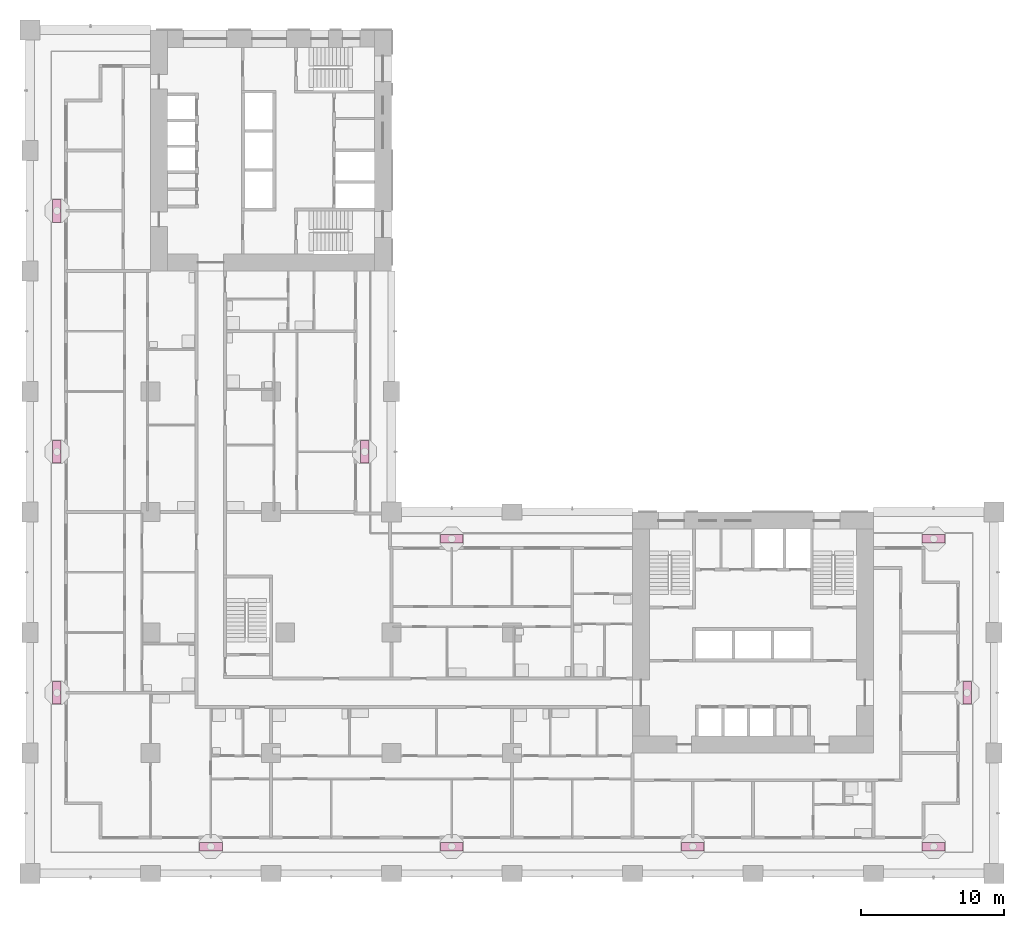
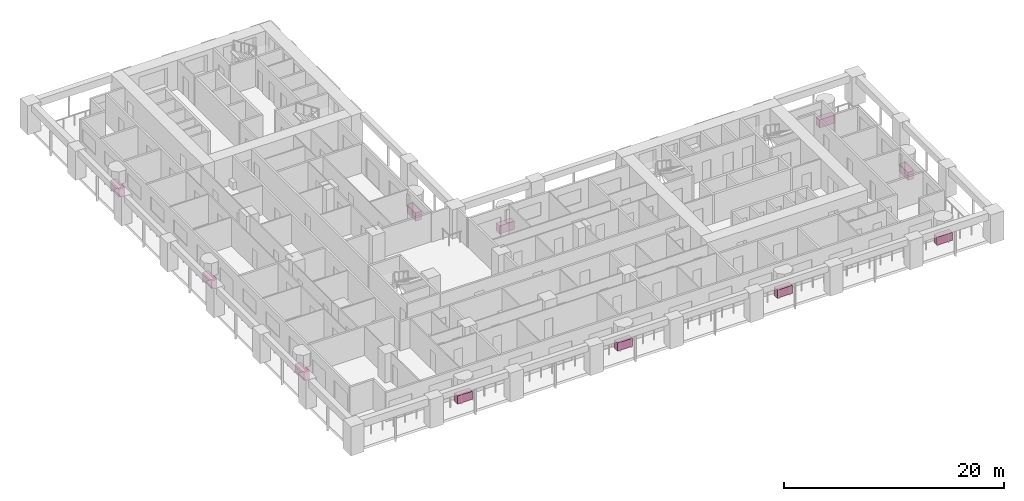
# One storey, part 19 of 20: 11 furniture elements.
"""IFC4 building model written with IfcOpenShell, lengths in metres."""

from ifc_helpers import new_model, si_unit, direction, frame, origin, origin_2d, place, context, subcontext, project, spatial, rectangle, extrude, material, element, save


model = new_model("IFC4")

# Units and contexts
model_context = context("Model", 3, precision=1e-05, world=origin(), true_north=direction((0.0, 1.0)))
body_context = subcontext(model_context, "Body", "Model", "MODEL_VIEW")
ifc_project = project(units=[si_unit("LENGTHUNIT", "METRE"), si_unit("AREAUNIT", "SQUARE_METRE"), si_unit("VOLUMEUNIT", "CUBIC_METRE"), si_unit("PLANEANGLEUNIT", "RADIAN"), si_unit("MASSUNIT", "GRAM", prefix="KILO")], contexts=[model_context])

# Site, building, storey
site_placement = place(None, origin())
site = spatial("IfcSite", under=ifc_project, at=site_placement, CompositionType="ELEMENT")
building_placement = place(site_placement, origin())
building = spatial("IfcBuilding", under=site, at=building_placement, Name="Vermilion Gate Residences", CompositionType="ELEMENT")
storey_placement = place(building_placement, frame((0.0, 0.0, 42.699951171875)))
storey = spatial("IfcBuildingStorey", under=building, at=storey_placement, Name="L09", CompositionType="ELEMENT", Elevation=42.699951171875)

# Furniture
ifc_material = material(Name="Terracotta planter", Category="masonry")
for number, where, z_axis, x_axis, name in (
    (1, (12.60009765625, 1.875, 0.0), (0.0, 0.0, 1.0), (1.0, 0.0, 0.0), "PLANTER"),
    (2, (29.39990234375, 1.875, 0.0), (0.0, 0.0, 1.0), (1.0, 0.0, 0.0), "PLANTER"),
    (3, (46.199951171875, 1.875, 0.0), (0.0, 0.0, 1.0), (1.0, 0.0, 0.0), "PLANTER"),
    (4, (63.0, 1.875, 0.0), (0.0, 0.0, 1.0), (1.0, 0.0, 0.0), "PLANTER"),
    (5, (65.324951171875, 12.60009765625, 0.0), (0.0, 0.0, 1.0), (0.0, 1.0, 0.0), "PLANTER"),
    (6, (29.39990234375, 23.324951171875, 0.0), (0.0, 0.0, 1.0), (-1.0, 0.0, 0.0), "PLANTER"),
    (7, (63.0, 23.324951171875, 0.0), (0.0, 0.0, 1.0), (-1.0, 0.0, 0.0), "PLANTER"),
    (8, (23.324951171875, 29.39990234375, 0.0), (0.0, 0.0, 1.0), (0.0, 1.0, 0.0), "PLANTER"),
    (9, (1.875, 12.60009765625, 0.0), (0.0, 0.0, 1.0), (0.0, -1.0, 0.0), "PLANTER"),
    (10, (1.875, 29.39990234375, 0.0), (0.0, 0.0, 1.0), (0.0, -1.0, 0.0), "PLANTER"),
    (11, (1.875, 46.199951171875, 0.0), (0.0, 0.0, 1.0), (0.0, -1.0, 0.0), "PLANTER"),
):
    element("IfcFurniture", number, at=place(storey_placement, frame(where, z_axis=z_axis, x_axis=x_axis)), inside=storey, material=ifc_material, Name=name, ObjectType="PLANTER", PredefinedType="USERDEFINED", context=body_context, shape_type="SweptSolid", body=[
        extrude(rectangle(XDim=1.60009765625, YDim=0.60009765625, at=origin_2d()), origin(), (0.0, 0.0, 1.0), 0.89990234375),
    ])

save(model, "model.ifc")
